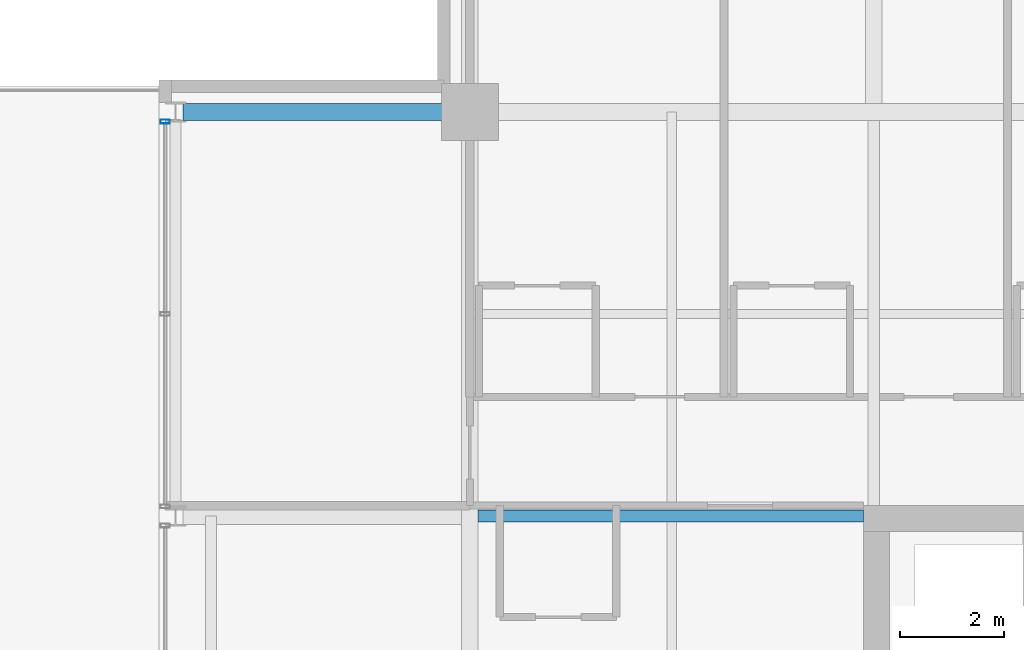
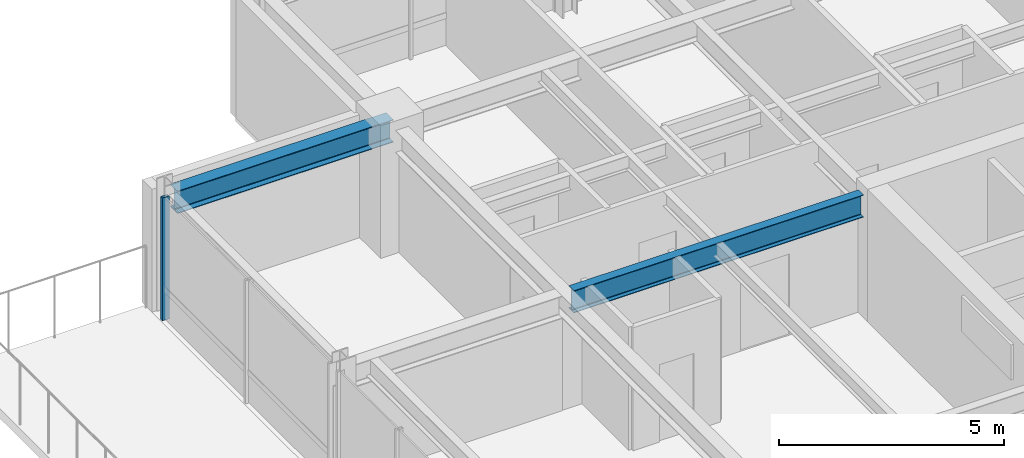
# One storey, part 17 of 32: 2 beams, 1 member, 1 element without a shape of its own.
"""IFC4 building model written with IfcOpenShell, lengths in metres."""

from ifc_helpers import new_model, si_unit, direction, frame, origin, origin_2d, place, context, subcontext, project, spatial, hollow_rectangle, i_section, extrude, material, layer, layer_set, material_profile, profile_set, type_object, element, aggregate, save


model = new_model("IFC4")

# Units and contexts
model_context = context("Model", 3, precision=1e-05, world=origin(), true_north=direction((0.0, 1.0)))
body_context = subcontext(model_context, "Body", "Model", "MODEL_VIEW")
ifc_project = project(units=[si_unit("LENGTHUNIT", "METRE"), si_unit("AREAUNIT", "SQUARE_METRE"), si_unit("VOLUMEUNIT", "CUBIC_METRE"), si_unit("PLANEANGLEUNIT", "RADIAN"), si_unit("MASSUNIT", "GRAM", prefix="KILO")], contexts=[model_context])

# Site, building, storey
site_placement = place(None, origin())
site = spatial("IfcSite", under=ifc_project, at=site_placement, CompositionType="ELEMENT")
building_placement = place(site_placement, origin())
building = spatial("IfcBuilding", under=site, at=building_placement, Name="Drelvath Grand Hotel", CompositionType="ELEMENT")
storey_placement = place(building_placement, frame((0.0, 0.0, 205.10009765625)))
storey = spatial("IfcBuildingStorey", under=building, at=storey_placement, Name="L53", CompositionType="ELEMENT", Elevation=205.10009765625)

# Curtain wall, member
ifc_material_1 = material(Name="Platinum-Mist Anodised Aluminium Frame", Category="aluminium")
ifc_layer = layer(ifc_material_1, 0.199951171875)
ifc_layer_set = layer_set([ifc_layer], Name="Platinum-Mist Anodised Aluminium Frame")
curtain_wall_type = type_object("IfcCurtainWallType", Name="Stick Curtain Wall CW-05 Platinum Mist High-Rise", PredefinedType="NOTDEFINED", material=ifc_layer_set)
curtain_wall_placement = place(storey_placement, origin())
curtain_wall = element("IfcCurtainWall", 1, at=curtain_wall_placement, inside=storey, type_object=curtain_wall_type, Name="L53 CW-05 Curtain Wall CW05-L53-WN2", PredefinedType="NOTDEFINED")
ifc_material_profile_1 = material_profile(ifc_material_1, hollow_rectangle(XDim=0.074951171875, YDim=0.179931640625, WallThickness=0.0048828125, at=origin_2d()), Name="HSS180X75X5")
ifc_profile_set_1 = profile_set([ifc_material_profile_1], Name="Platinum-Mist Anodised Aluminium Frame")
member_type = type_object("IfcMemberType", Name="Curtain Wall Vertical Mullion CW-05 HSS180X75X5", PredefinedType="MULLION", material=ifc_profile_set_1)
member_placement = place(storey_placement, frame((-22.080078125, 43.0146484375, 0.0), z_axis=(0.0, 0.0, 1.0), x_axis=(0.0, 1.0, 0.0)))
member = element("IfcMember", 2, at=member_placement, type_object=member_type, Name="CW05-L53-WN2 Mullion 3", PredefinedType="MULLION", context=body_context, shape_type="SweptSolid", body=[
    extrude(hollow_rectangle(XDim=0.074951171875, YDim=0.179931640625, WallThickness=0.0048828125, at=origin_2d()), origin(), (0.0, 0.0, 1.0), 3.33984375),
])
aggregate(curtain_wall, [member])

# Beams
ifc_material_2 = material(Name="Steel ASTM A992 Gr 50", Category="steel")
ifc_material_profile_2 = material_profile(ifc_material_2, i_section(OverallWidth=0.323974609375, OverallDepth=0.611083984375, WebThickness=0.0126953125, FlangeThickness=0.01904296875, FilletRadius=0.02197265625, at=origin_2d()), Name="W24X104")
ifc_profile_set_2 = profile_set([ifc_material_profile_2], Name="Steel ASTM A992 Gr 50")
beam_type_1 = type_object("IfcBeamType", Name="Primary Floor Girder W24X104", PredefinedType="BEAM", material=ifc_profile_set_2)
beam_1_placement = place(storey_placement, frame((-21.739990234375, 43.199951171875, 3.034423828125), z_axis=(1.0, 0.0, 0.0), x_axis=(0.0, 1.0, 0.0)))
element("IfcBeam", 3, at=beam_1_placement, inside=storey, type_object=beam_type_1, Name="L53 West Grid Girder G", PredefinedType="BEAM", context=body_context, shape_type="SweptSolid", body=[
    extrude(i_section(OverallWidth=0.323974609375, OverallDepth=0.611083984375, WebThickness=0.0126953125, FlangeThickness=0.01904296875, FilletRadius=0.02197265625, at=origin_2d()), origin(), (0.0, 0.0, 1.0), 5.5400390625),
])
ifc_material_profile_3 = material_profile(ifc_material_2, i_section(OverallWidth=0.228271484375, OverallDepth=0.607666015625, WebThickness=0.01123046875, FlangeThickness=0.017333984375, FilletRadius=0.02001953125, at=origin_2d()), Name="W24X76")
ifc_profile_set_3 = profile_set([ifc_material_profile_3], Name="Steel ASTM A992 Gr 50")
beam_type_2 = type_object("IfcBeamType", Name="Primary Floor Girder W24X76", PredefinedType="BEAM", material=ifc_profile_set_3)
beam_2_placement = place(storey_placement, frame((-16.0380859375, 35.39990234375, 3.0361328125), z_axis=(1.0, 0.0, 0.0), x_axis=(0.0, 1.0, 0.0)))
element("IfcBeam", 4, at=beam_2_placement, inside=storey, type_object=beam_type_2, Name="L53 West Core Tie F", PredefinedType="BEAM", context=body_context, shape_type="SweptSolid", body=[
    extrude(i_section(OverallWidth=0.228271484375, OverallDepth=0.607666015625, WebThickness=0.01123046875, FlangeThickness=0.017333984375, FilletRadius=0.02001953125, at=origin_2d()), origin(), (0.0, 0.0, 1.0), 7.43798828125),
])

save(model, "model.ifc")
